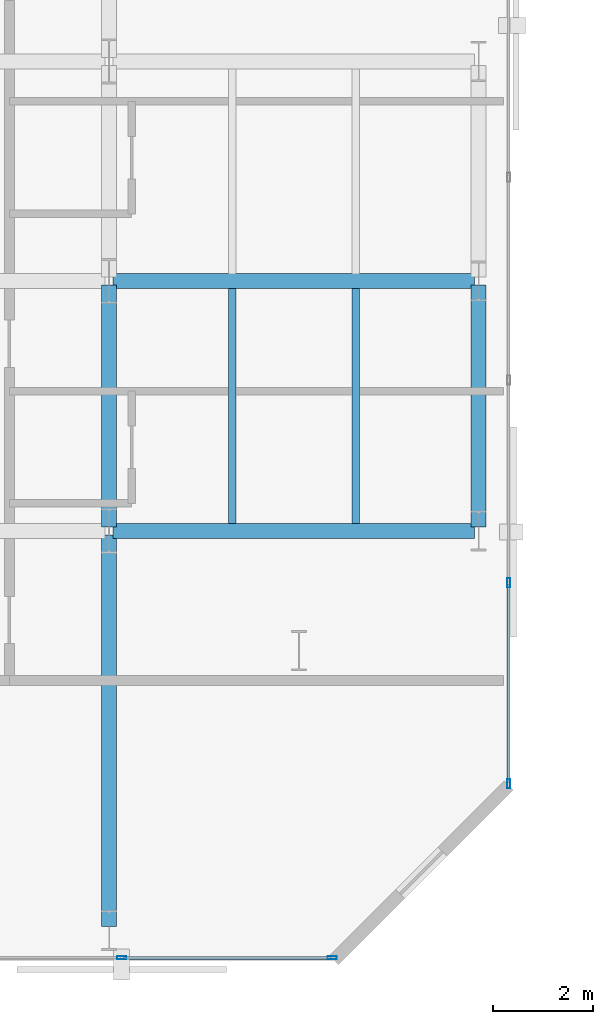
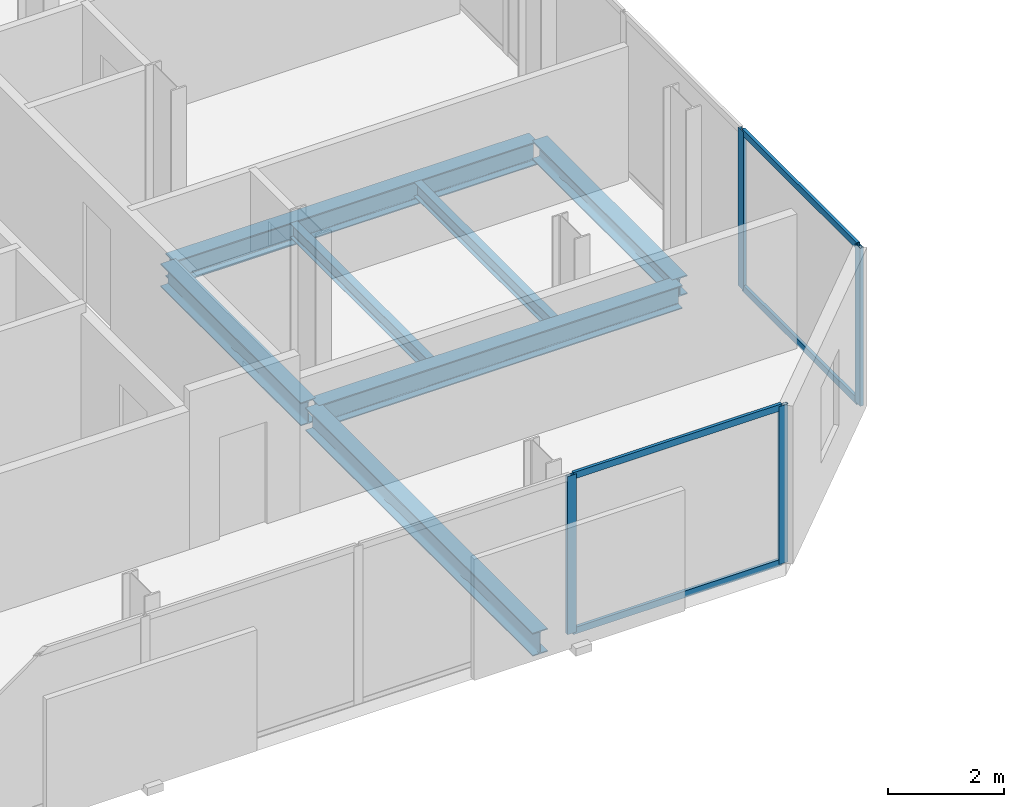
# One storey, part 7 of 32: 8 members, 7 beams, 2 elements without a shape of their own.
"""IFC4 building model written with IfcOpenShell, lengths in metres."""

from ifc_helpers import new_model, si_unit, direction, frame, origin, origin_2d, place, context, subcontext, project, spatial, hollow_rectangle, i_section, extrude, material, layer, layer_set, material_profile, profile_set, type_object, element, aggregate, save


model = new_model("IFC4")

# Units and contexts
model_context = context("Model", 3, precision=1e-05, world=origin(), true_north=direction((0.0, 1.0)))
body_context = subcontext(model_context, "Body", "Model", "MODEL_VIEW")
ifc_project = project(units=[si_unit("LENGTHUNIT", "METRE"), si_unit("AREAUNIT", "SQUARE_METRE"), si_unit("VOLUMEUNIT", "CUBIC_METRE"), si_unit("PLANEANGLEUNIT", "RADIAN"), si_unit("MASSUNIT", "GRAM", prefix="KILO")], contexts=[model_context])

# Site, building, storey
site_placement = place(None, origin())
site = spatial("IfcSite", under=ifc_project, at=site_placement, CompositionType="ELEMENT")
building_placement = place(site_placement, origin())
building = spatial("IfcBuilding", under=site, at=building_placement, Name="Catumbela Crestline Tower", CompositionType="ELEMENT")
storey_placement = place(building_placement, frame((0.0, 0.0, 69.0)))
storey = spatial("IfcBuildingStorey", under=building, at=storey_placement, Name="L17", CompositionType="ELEMENT", Elevation=69.0)

# Beams
ifc_material_1 = material(Name="Structural steel S355J2", Category="steel")
ifc_material_profile_1 = material_profile(ifc_material_1, i_section(OverallWidth=0.3, OverallDepth=0.49, WebThickness=0.012, FlangeThickness=0.023, FilletRadius=0.027, at=origin_2d()), Name="HEA 500")
ifc_profile_set_1 = profile_set([ifc_material_profile_1], Name="Structural steel S355J2")
beam_type_1 = type_object("IfcBeamType", Name="BG-HEA500", PredefinedType="BEAM", material=ifc_profile_set_1)
for number, where, z_axis, x_axis, name in (
    (1, (16.08, 8.6, -0.505), (1.0, 0.0, 0.0), (0.0, 1.0, 0.0), "L17 Beam BM-L17-WEW50"),
    (2, (16.08, 13.6, -0.505), (1.0, 0.0, 0.0), (0.0, 1.0, 0.0), "L17 Beam BM-L17-WEW53"),
):
    element("IfcBeam", number, at=place(storey_placement, frame(where, z_axis=z_axis, x_axis=x_axis)), inside=storey, type_object=beam_type_1, Name=name, PredefinedType="BEAM", context=body_context, shape_type="SweptSolid", body=[
        extrude(i_section(OverallWidth=0.3, OverallDepth=0.49, WebThickness=0.012, FlangeThickness=0.023, FilletRadius=0.027, at=origin_2d()), origin(), (0.0, 0.0, 1.0), 7.24),
    ])
beam_1_placement = place(storey_placement, frame((16.0, 0.68, -0.505), z_axis=(0.0, 1.0, 0.0), x_axis=(-1.0, 0.0, 0.0)))
element("IfcBeam", 3, at=beam_1_placement, inside=storey, type_object=beam_type_1, Name="L17 Beam BM-L17-WNS64", PredefinedType="BEAM", context=body_context, shape_type="SweptSolid", body=[
    extrude(i_section(OverallWidth=0.3, OverallDepth=0.49, WebThickness=0.012, FlangeThickness=0.023, FilletRadius=0.027, at=origin_2d()), origin(), (0.0, 0.0, 1.0), 7.84),
])
beam_2_placement = place(storey_placement, frame((16.0, 8.68, -0.505), z_axis=(0.0, 1.0, 0.0), x_axis=(-1.0, 0.0, 0.0)))
element("IfcBeam", 4, at=beam_2_placement, inside=storey, type_object=beam_type_1, Name="L17 Beam BM-L17-WNS65", PredefinedType="BEAM", context=body_context, shape_type="SweptSolid", body=[
    extrude(i_section(OverallWidth=0.3, OverallDepth=0.49, WebThickness=0.012, FlangeThickness=0.023, FilletRadius=0.027, at=origin_2d()), origin(), (0.0, 0.0, 1.0), 4.84),
])
ifc_material_profile_2 = material_profile(ifc_material_1, i_section(OverallWidth=0.15, OverallDepth=0.3, WebThickness=0.0071, FlangeThickness=0.0107, FilletRadius=0.015, at=origin_2d()), Name="IPE 300")
ifc_profile_set_2 = profile_set([ifc_material_profile_2], Name="Structural steel S355J2")
beam_type_2 = type_object("IfcBeamType", Name="BJ-IPE300", PredefinedType="JOIST", material=ifc_profile_set_2)
for number, where, z_axis, x_axis, name in (
    (5, (18.467, 8.747, -0.41), (0.0, 1.0, 0.0), (-1.0, 0.0, 0.0), "L17 Joist JS-L17-WG74"),
    (6, (20.933, 8.747, -0.41), (0.0, 1.0, 0.0), (-1.0, 0.0, 0.0), "L17 Joist JS-L17-WG75"),
):
    element("IfcBeam", number, at=place(storey_placement, frame(where, z_axis=z_axis, x_axis=x_axis)), inside=storey, type_object=beam_type_2, Name=name, PredefinedType="JOIST", context=body_context, shape_type="SweptSolid", body=[
        extrude(i_section(OverallWidth=0.15, OverallDepth=0.3, WebThickness=0.0071, FlangeThickness=0.0107, FilletRadius=0.015, at=origin_2d()), origin(), (0.0, 0.0, 1.0), 4.706),
    ])

# Curtain wall, members
ifc_material_2 = material(Name="Aluminium alloy AW-6060-T66", Category="aluminium")
ifc_layer = layer(ifc_material_2, 0.18, Name="Aluminium alloy AW-6060-T66")
ifc_layer_set = layer_set([ifc_layer], Name="Aluminium alloy AW-6060-T66")
curtain_wall_type = type_object("IfcCurtainWallType", Name="CWU-Z1", PredefinedType="USERDEFINED", material=ifc_layer_set)
curtain_wall_1_placement = place(storey_placement, origin())
curtain_wall_1 = element("IfcCurtainWall", 7, at=curtain_wall_1_placement, inside=storey, type_object=curtain_wall_type, Name="L17 Unitised Curtain Wall CW-L17-E0S1", ObjectType="UNITISED", PredefinedType="USERDEFINED")
ifc_material_profile_3 = material_profile(ifc_material_2, hollow_rectangle(XDim=0.065, YDim=0.18, WallThickness=0.004, at=origin_2d()), Name="ALU 180x65x4")
ifc_profile_set_3 = profile_set([ifc_material_profile_3], Name="Aluminium alloy AW-6060-T66")
member_type_1 = type_object("IfcMemberType", Name="MUL-180X65", PredefinedType="MULLION", material=ifc_profile_set_3)
member_1_placement = place(storey_placement, frame((16.25, 0.05, 0.0), z_axis=(0.0, 0.0, 1.0), x_axis=(0.0, 1.0, 0.0)))
member_1 = element("IfcMember", 8, at=member_1_placement, type_object=member_type_1, Name="CWU-Z1 mullion 4", PredefinedType="MULLION", context=body_context, shape_type="SweptSolid", body=[
    extrude(hollow_rectangle(XDim=0.065, YDim=0.18, WallThickness=0.004, at=origin_2d()), origin(), (0.0, 0.0, 1.0), 3.33),
])
member_2_placement = place(storey_placement, frame((20.4675, 0.05, 0.0), z_axis=(0.0, 0.0, 1.0), x_axis=(0.0, 1.0, 0.0)))
member_2 = element("IfcMember", 9, at=member_2_placement, type_object=member_type_1, Name="CWU-Z1 mullion 5", PredefinedType="MULLION", context=body_context, shape_type="SweptSolid", body=[
    extrude(hollow_rectangle(XDim=0.065, YDim=0.18, WallThickness=0.004, at=origin_2d()), origin(), (0.0, 0.0, 1.0), 3.33),
])

curtain_wall_2_placement = place(storey_placement, origin())
curtain_wall_2 = element("IfcCurtainWall", 10, at=curtain_wall_2_placement, inside=storey, type_object=curtain_wall_type, Name="L17 Unitised Curtain Wall CW-L17-E2S1", ObjectType="UNITISED", PredefinedType="USERDEFINED")
member_3_placement = place(storey_placement, frame((24.0, 3.5325, 0.0), z_axis=(0.0, 0.0, 1.0), x_axis=(-1.0, 0.0, 0.0)))
member_3 = element("IfcMember", 11, at=member_3_placement, type_object=member_type_1, Name="CWU-Z1 mullion 1", PredefinedType="MULLION", context=body_context, shape_type="SweptSolid", body=[
    extrude(hollow_rectangle(XDim=0.065, YDim=0.18, WallThickness=0.004, at=origin_2d()), origin(), (0.0, 0.0, 1.0), 3.33),
])
member_4_placement = place(storey_placement, frame((24.0, 7.56, 0.0), z_axis=(0.0, 0.0, 1.0), x_axis=(-1.0, 0.0, 0.0)))
member_4 = element("IfcMember", 12, at=member_4_placement, type_object=member_type_1, Name="CWU-Z1 mullion 2", PredefinedType="MULLION", context=body_context, shape_type="SweptSolid", body=[
    extrude(hollow_rectangle(XDim=0.065, YDim=0.18, WallThickness=0.004, at=origin_2d()), origin(), (0.0, 0.0, 1.0), 3.33),
])

# Beam
ifc_material_profile_4 = material_profile(ifc_material_1, i_section(OverallWidth=0.3, OverallDepth=0.4, WebThickness=0.0135, FlangeThickness=0.024, FilletRadius=0.027, at=origin_2d()), Name="HEB 400")
ifc_profile_set_4 = profile_set([ifc_material_profile_4], Name="Structural steel S355J2")
beam_type_3 = type_object("IfcBeamType", Name="BS-HEB400", PredefinedType="SPANDREL", material=ifc_profile_set_4)
beam_3_placement = place(storey_placement, frame((23.4, 8.68, -0.46), z_axis=(0.0, 1.0, 0.0), x_axis=(-1.0, 0.0, 0.0)))
element("IfcBeam", 13, at=beam_3_placement, inside=storey, type_object=beam_type_3, Name="L17 Spandrel SP-L17-WNS68", PredefinedType="SPANDREL", context=body_context, shape_type="SweptSolid", body=[
    extrude(i_section(OverallWidth=0.3, OverallDepth=0.4, WebThickness=0.0135, FlangeThickness=0.024, FilletRadius=0.027, at=origin_2d()), origin(), (0.0, 0.0, 1.0), 4.84),
])

# Member
ifc_material_profile_5 = material_profile(ifc_material_2, hollow_rectangle(XDim=0.06, YDim=0.14, WallThickness=0.004, at=origin_2d()), Name="ALU 140x60x4")
ifc_profile_set_5 = profile_set([ifc_material_profile_5], Name="Aluminium alloy AW-6060-T66")
member_type_2 = type_object("IfcMemberType", Name="TRN-140X60", PredefinedType="USERDEFINED", material=ifc_profile_set_5)
member_5_placement = place(storey_placement, frame((16.2825, 0.05, 0.03), z_axis=(1.0, 0.0, 0.0), x_axis=(0.0, 1.0, 0.0)))
member_5 = element("IfcMember", 14, at=member_5_placement, type_object=member_type_2, Name="CWU-Z1 transom 4.1", ObjectType="TRANSOM", PredefinedType="USERDEFINED", context=body_context, shape_type="SweptSolid", body=[
    extrude(hollow_rectangle(XDim=0.06, YDim=0.14, WallThickness=0.004, at=origin_2d()), origin(), (0.0, 0.0, 1.0), 4.1525),
])

member_6_placement = place(storey_placement, frame((16.2825, 0.05, 3.3), z_axis=(1.0, 0.0, 0.0), x_axis=(0.0, 1.0, 0.0)))
member_6 = element("IfcMember", 15, at=member_6_placement, type_object=member_type_2, Name="CWU-Z1 transom 4.2", ObjectType="TRANSOM", PredefinedType="USERDEFINED", context=body_context, shape_type="SweptSolid", body=[
    extrude(hollow_rectangle(XDim=0.06, YDim=0.14, WallThickness=0.004, at=origin_2d()), origin(), (0.0, 0.0, 1.0), 4.1525),
])

aggregate(curtain_wall_1, [member_1, member_2, member_5, member_6])

member_7_placement = place(storey_placement, frame((24.0, 3.565, 0.03), z_axis=(0.0, 1.0, 0.0), x_axis=(-1.0, 0.0, 0.0)))
member_7 = element("IfcMember", 16, at=member_7_placement, type_object=member_type_2, Name="CWU-Z1 transom 1.1", ObjectType="TRANSOM", PredefinedType="USERDEFINED", context=body_context, shape_type="SweptSolid", body=[
    extrude(hollow_rectangle(XDim=0.06, YDim=0.14, WallThickness=0.004, at=origin_2d()), origin(), (0.0, 0.0, 1.0), 3.9625),
])

member_8_placement = place(storey_placement, frame((24.0, 3.565, 3.3), z_axis=(0.0, 1.0, 0.0), x_axis=(-1.0, 0.0, 0.0)))
member_8 = element("IfcMember", 17, at=member_8_placement, type_object=member_type_2, Name="CWU-Z1 transom 1.2", ObjectType="TRANSOM", PredefinedType="USERDEFINED", context=body_context, shape_type="SweptSolid", body=[
    extrude(hollow_rectangle(XDim=0.06, YDim=0.14, WallThickness=0.004, at=origin_2d()), origin(), (0.0, 0.0, 1.0), 3.9625),
])

aggregate(curtain_wall_2, [member_3, member_4, member_7, member_8])

save(model, "model.ifc")
